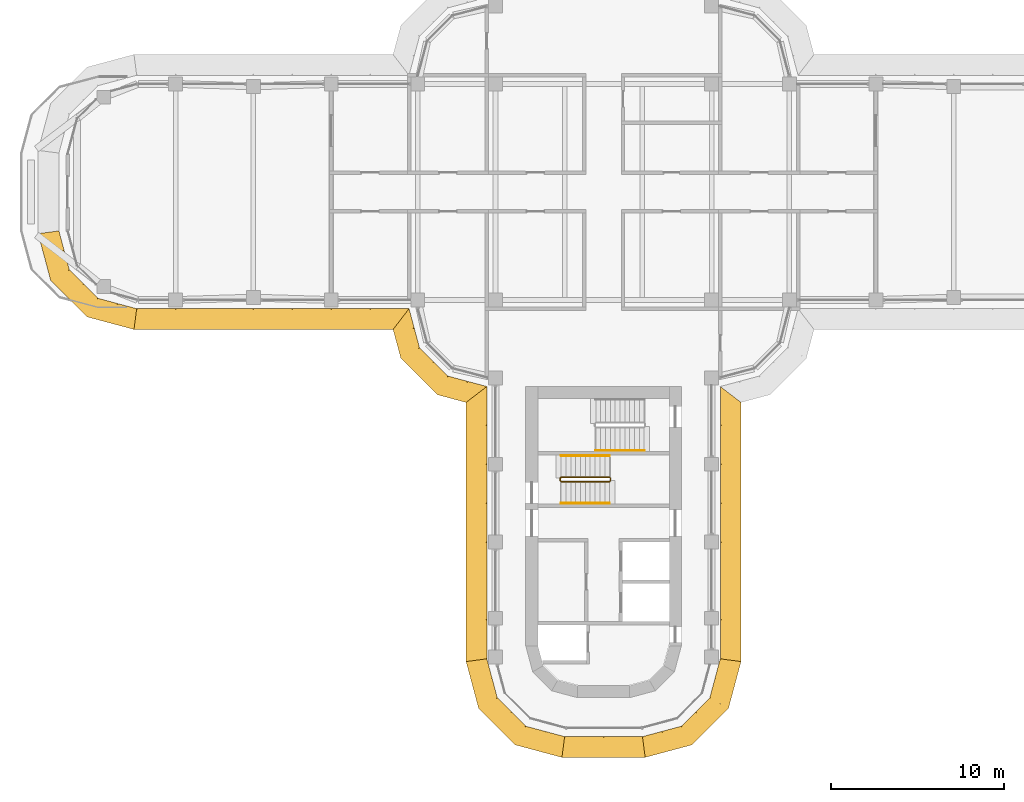
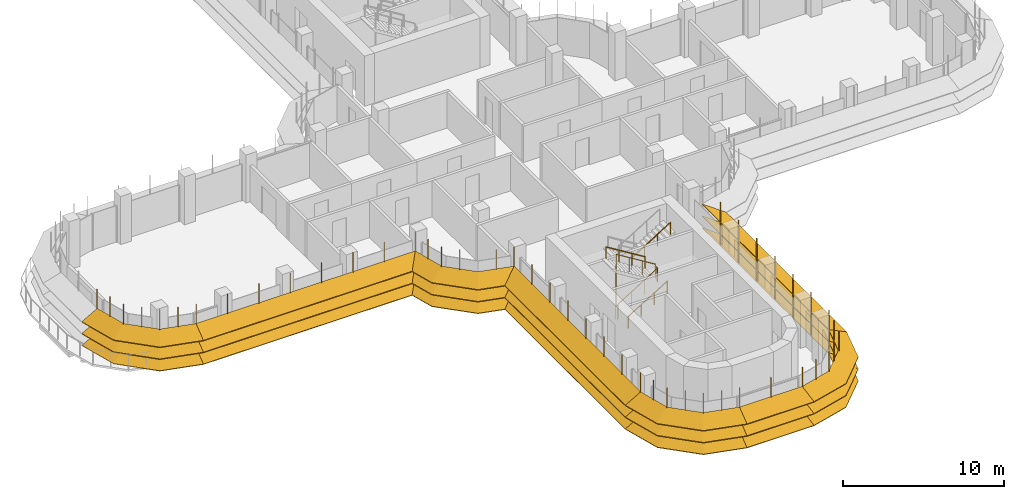
# One storey, part 17 of 20: 8 shading devices, 4 railings.
"""IFC4 building model written with IfcOpenShell, lengths in metres."""

from ifc_helpers import new_model, si_unit, direction, frame, origin, origin_2d, place, context, subcontext, project, spatial, polyline, circle, outline, extrude, faceted_brep, source, transform, mapped, material, type_object, element, save


model = new_model("IFC4")

# Units and contexts
model_context = context("Model", 3, precision=1e-05, world=origin(), true_north=direction((0.0, 1.0)))
body_context = subcontext(model_context, "Body", "Model", "MODEL_VIEW")
ifc_project = project(units=[si_unit("LENGTHUNIT", "METRE"), si_unit("AREAUNIT", "SQUARE_METRE"), si_unit("VOLUMEUNIT", "CUBIC_METRE"), si_unit("PLANEANGLEUNIT", "RADIAN"), si_unit("MASSUNIT", "GRAM", prefix="KILO")], contexts=[model_context])

# Site, building, storey
site_placement = place(None, origin())
site = spatial("IfcSite", under=ifc_project, at=site_placement, CompositionType="ELEMENT")
building_placement = place(site_placement, origin())
building = spatial("IfcBuilding", under=site, at=building_placement, Name="Zarbagh Exchange Tower", CompositionType="ELEMENT")
storey_placement = place(building_placement, frame((0.0, 0.0, 186.60009765625)))
storey = spatial("IfcBuildingStorey", under=building, at=storey_placement, Name="L45", CompositionType="ELEMENT", Elevation=186.60009765625)

# Railings
ifc_material_1 = material(Name="Stainless steel", Category="steel")
railing_type_1 = type_object("IfcRailingType", Name="Stair guard 1100 mm", PredefinedType="GUARDRAIL", material=ifc_material_1)
railing_1_placement = place(storey_placement, frame((0.35009765625, -16.5, 2.072509765625)))
element("IfcRailing", 1, at=railing_1_placement, inside=storey, type_object=railing_type_1, Name="ST3 stair guard 1", PredefinedType="GUARDRAIL", context=body_context, shape_type="SweptSolid", body=[
    extrude(circle(Radius=0.02392578125, at=origin_2d()), frame((0.0, 0.0, 1.076171875), z_axis=(-0.851089632645, 0.0, 0.525020415988), x_axis=(0.0, -1.0, 0.0)), (0.0, 0.0, 1.0), 3.2900390625),
    extrude(circle(Radius=0.02392578125, at=origin_2d()), frame((-2.800048828125, 0.0, 2.80322265625), z_axis=(-0.013169136761, -0.013169136761, -0.999826558796), x_axis=(0.707106781187, -0.707106781187, 0.0)), (0.0, 0.0, 1.0), 3.800537109375),
    extrude(circle(Radius=0.02392578125, at=origin_2d()), frame((-2.85009765625, -0.050048828125, -0.99658203125), z_axis=(0.0, -1.0, 0.0), x_axis=(1.0, 0.0, 0.0)), (0.0, 0.0, 1.0), 0.14990234375),
    extrude(circle(Radius=0.02392578125, at=origin_2d()), frame((-2.85009765625, -0.199951171875, -0.99658203125), z_axis=(0.268277960024, -0.268277960024, 0.925231793839), x_axis=(0.707106781187, 0.707106781187, 0.0)), (0.0, 0.0, 1.0), 0.1865234375),
    extrude(circle(Radius=0.02392578125, at=origin_2d()), frame((-2.800048828125, -0.25, -0.82373046875), z_axis=(0.851089632645, 0.0, 0.525020415988), x_axis=(0.0, 1.0, 0.0)), (0.0, 0.0, 1.0), 3.2900390625),
    extrude(circle(Radius=0.02392578125, at=origin_2d()), frame((0.0, -0.25, 0.9033203125), z_axis=(0.705375805398, 0.708833529934, 0.0), x_axis=(-0.708833529934, 0.705375805398, 0.0)), (0.0, 0.0, 1.0), 0.070556640625),
    extrude(circle(Radius=0.02392578125, at=origin_2d()), frame((0.0498046875, -0.199951171875, 0.9033203125), z_axis=(0.0, 1.0, 0.0), x_axis=(-1.0, 0.0, 0.0)), (0.0, 0.0, 1.0), 0.14990234375),
    extrude(circle(Radius=0.02099609375, at=origin_2d()), origin(), (0.0, 0.0, 1.0), 1.052001953125),
    extrude(circle(Radius=0.02099609375, at=origin_2d()), frame((-0.933349609375, 0.0, 0.57568359375)), (0.0, 0.0, 1.0), 1.052001953125),
    extrude(circle(Radius=0.02099609375, at=origin_2d()), frame((-1.86669921875, 0.0, 1.151611328125)), (0.0, 0.0, 1.0), 1.052001953125),
    extrude(circle(Radius=0.02099609375, at=origin_2d()), frame((-2.800048828125, 0.0, 1.727294921875)), (0.0, 0.0, 1.0), 1.052001953125),
    extrude(circle(Radius=0.02099609375, at=origin_2d()), frame((-2.8125, -0.012451171875, 0.77734375)), (0.0, 0.0, 1.0), 1.052001953125),
    extrude(circle(Radius=0.02099609375, at=origin_2d()), frame((-2.8251953125, -0.02490234375, -0.172607421875)), (0.0, 0.0, 1.0), 1.052001953125),
    extrude(circle(Radius=0.02099609375, at=origin_2d()), frame((-2.837646484375, -0.03759765625, -1.12255859375)), (0.0, 0.0, 1.0), 1.052001953125),
    extrude(circle(Radius=0.02099609375, at=origin_2d()), frame((-2.85009765625, -0.050048828125, -2.072509765625)), (0.0, 0.0, 1.0), 1.052001953125),
    extrude(circle(Radius=0.02099609375, at=origin_2d()), frame((-2.85009765625, -0.199951171875, -2.072509765625)), (0.0, 0.0, 1.0), 1.052001953125),
    extrude(circle(Radius=0.02099609375, at=origin_2d()), frame((-2.800048828125, -0.25, -1.89990234375)), (0.0, 0.0, 1.0), 1.052001953125),
    extrude(circle(Radius=0.02099609375, at=origin_2d()), frame((-1.86669921875, -0.25, -1.32421875)), (0.0, 0.0, 1.0), 1.052001953125),
    extrude(circle(Radius=0.02099609375, at=origin_2d()), frame((-0.933349609375, -0.25, -0.748291015625)), (0.0, 0.0, 1.0), 1.052001953125),
    extrude(circle(Radius=0.02099609375, at=origin_2d()), frame((0.0, -0.25, -0.172607421875)), (0.0, 0.0, 1.0), 1.052001953125),
    extrude(circle(Radius=0.02099609375, at=origin_2d()), frame((0.0498046875, -0.199951171875, -0.172607421875)), (0.0, 0.0, 1.0), 1.052001953125),
    extrude(circle(Radius=0.02099609375, at=origin_2d()), frame((0.0498046875, -0.050048828125, -0.172607421875)), (0.0, 0.0, 1.0), 1.052001953125),
])
railing_type_2 = type_object("IfcRailingType", Name="Stair handrail 900 mm", PredefinedType="HANDRAIL", material=ifc_material_1)
railing_2_placement = place(storey_placement, frame((-2.449951171875, -18.0, 0.172607421875)))
element("IfcRailing", 2, at=railing_2_placement, inside=storey, type_object=railing_type_2, Name="ST3 stair handrail 1", PredefinedType="HANDRAIL", context=body_context, shape_type="SweptSolid", body=[
    extrude(circle(Radius=0.02392578125, at=origin_2d()), frame((0.0, 0.0, 0.8759765625), z_axis=(0.851089632645, 0.0, 0.525020415988), x_axis=(0.0, 1.0, 0.0)), (0.0, 0.0, 1.0), 3.2900390625),
    extrude(circle(Radius=0.02099609375, at=origin_2d()), origin(), (0.0, 0.0, 1.0), 0.851806640625),
    extrude(circle(Radius=0.02099609375, at=origin_2d()), frame((0.933349609375, 0.0, 0.57568359375)), (0.0, 0.0, 1.0), 0.851806640625),
    extrude(circle(Radius=0.02099609375, at=origin_2d()), frame((1.86669921875, 0.0, 1.151611328125)), (0.0, 0.0, 1.0), 0.851806640625),
    extrude(circle(Radius=0.02099609375, at=origin_2d()), frame((2.800048828125, 0.0, 1.727294921875)), (0.0, 0.0, 1.0), 0.851806640625),
])
railing_3_placement = place(storey_placement, frame((0.35009765625, -15.25, 2.072509765625)))
element("IfcRailing", 3, at=railing_3_placement, inside=storey, type_object=railing_type_2, Name="ST3 stair handrail 2", PredefinedType="HANDRAIL", context=body_context, shape_type="SweptSolid", body=[
    extrude(circle(Radius=0.02392578125, at=origin_2d()), frame((0.0, 0.0, 0.8759765625), z_axis=(-0.851089632645, 0.0, 0.525020415988), x_axis=(0.0, -1.0, 0.0)), (0.0, 0.0, 1.0), 3.2900390625),
    extrude(circle(Radius=0.02099609375, at=origin_2d()), origin(), (0.0, 0.0, 1.0), 0.851806640625),
    extrude(circle(Radius=0.02099609375, at=origin_2d()), frame((-0.933349609375, 0.0, 0.57568359375)), (0.0, 0.0, 1.0), 0.851806640625),
    extrude(circle(Radius=0.02099609375, at=origin_2d()), frame((-1.86669921875, 0.0, 1.151611328125)), (0.0, 0.0, 1.0), 0.851806640625),
    extrude(circle(Radius=0.02099609375, at=origin_2d()), frame((-2.800048828125, 0.0, 1.727294921875)), (0.0, 0.0, 1.0), 0.851806640625),
])
railing_4_placement = place(storey_placement, frame((-0.449951171875, -14.949951171875, 2.072509765625)))
element("IfcRailing", 4, at=railing_4_placement, inside=storey, type_object=railing_type_2, Name="ST4 stair handrail 2", PredefinedType="HANDRAIL", context=body_context, shape_type="SweptSolid", body=[
    extrude(circle(Radius=0.02392578125, at=origin_2d()), frame((0.0, 0.0, 0.8759765625), z_axis=(0.851089632645, 0.0, 0.525020415988), x_axis=(0.0, 1.0, 0.0)), (0.0, 0.0, 1.0), 3.2900390625),
    extrude(circle(Radius=0.02099609375, at=origin_2d()), origin(), (0.0, 0.0, 1.0), 0.851806640625),
    extrude(circle(Radius=0.02099609375, at=origin_2d()), frame((0.933349609375, 0.0, 0.57568359375)), (0.0, 0.0, 1.0), 0.851806640625),
    extrude(circle(Radius=0.02099609375, at=origin_2d()), frame((1.86669921875, 0.0, 1.151611328125)), (0.0, 0.0, 1.0), 0.851806640625),
    extrude(circle(Radius=0.02099609375, at=origin_2d()), frame((2.800048828125, 0.0, 1.727294921875)), (0.0, 0.0, 1.0), 0.851806640625),
])

# Shading devices
ifc_material_2 = material(Name="Anodised aluminium blades and brackets", Category="aluminium")
shading_device_type = type_object("IfcShadingDeviceType", Name="SUNSHADE louvre band, 22.5 degree blades", PredefinedType="JALOUSIE", material=ifc_material_2)
shared_shape_1 = source(origin(), body_context, "Body", "Brep", [
    faceted_brep([(0.0, 0.0, 0.0), (0.0, 0.0, -0.043212890625), (-0.157958984375, -1.199951171875, -0.540283203125), (-0.157958984375, -1.199951171875, -0.4970703125), (2.65087890625, -1.199951171875, -0.4970703125), (2.65087890625, -1.199951171875, -0.540283203125), (2.329345703125, 0.0, -0.043212890625), (2.329345703125, 0.0, 0.0)], [[[0, 1, 2, 3]], [[4, 5, 6, 7]], [[0, 7, 6, 1]], [[1, 6, 5, 2]], [[2, 5, 4, 3]], [[3, 4, 7, 0]]]),
])
shared_shape_2 = source(origin(), body_context, "Body", "Brep", [
    faceted_brep([(0.0, 0.0, 0.0), (0.0, 0.0, -0.043212890625), (-0.321533203125, -1.199951171875, -0.540283203125), (-0.321533203125, -1.199951171875, -0.4970703125), (2.65087890625, -1.199951171875, -0.4970703125), (2.65087890625, -1.199951171875, -0.540283203125), (2.329345703125, 0.0, -0.043212890625), (2.329345703125, 0.0, 0.0)], [[[0, 1, 2, 3]], [[4, 5, 6, 7]], [[0, 7, 6, 1]], [[1, 6, 5, 2]], [[2, 5, 4, 3]], [[3, 4, 7, 0]]]),
])
shared_shape_3 = source(origin(), body_context, "Body", "Brep", [
    faceted_brep([(0.0, 0.0, 0.0), (0.0, 0.0, -0.043212890625), (-0.321533203125, -1.199951171875, -0.540283203125), (-0.321533203125, -1.199951171875, -0.4970703125), (2.4873046875, -1.199951171875, -0.4970703125), (2.4873046875, -1.199951171875, -0.540283203125), (2.329345703125, 0.0, -0.043212890625), (2.329345703125, 0.0, 0.0)], [[[0, 1, 2, 3]], [[4, 5, 6, 7]], [[0, 7, 6, 1]], [[1, 6, 5, 2]], [[2, 5, 4, 3]], [[3, 4, 7, 0]]]),
])
shared_shape_4 = source(origin(), body_context, "Body", "SweptSolid", [
    extrude(outline(polyline([(0.0, -0.012451171875), (0.06005859375, -0.012451171875), (0.06005859375, 0.012451171875), (0.0, 0.012451171875), (0.0, -0.012451171875)])), origin(), (0.0, 0.0, 1.0), 3.353271484375),
])
placement = place(storey_placement, origin())
element("IfcShadingDevice", 5, at=placement, inside=storey, type_object=shading_device_type, Name="SS35 sunshade band", PredefinedType="JALOUSIE", context=body_context, shape_type="MappedRepresentation", body=[
    mapped(shared_shape_1, transform((2.25, -31.5, 2.2998046875), x_axis=(0.965924289636, 0.258824779902, 0.0), y_axis=(-0.258824779902, 0.965924289636, 0.0), z_axis=(0.0, 0.0, 1.0))),
    mapped(shared_shape_1, transform((2.25, -31.5, 1.39990234375), x_axis=(0.965924289636, 0.258824779902, 0.0), y_axis=(-0.258824779902, 0.965924289636, 0.0), z_axis=(0.0, 0.0, 1.0))),
    mapped(shared_shape_1, transform((2.25, -31.5, 0.5), x_axis=(0.965924289636, 0.258824779902, 0.0), y_axis=(-0.258824779902, 0.965924289636, 0.0), z_axis=(0.0, 0.0, 1.0))),
    mapped(shared_shape_2, transform((4.5, -30.897216796875, 2.2998046875), x_axis=(0.707106781187, 0.707106781187, 0.0), y_axis=(-0.707106781187, 0.707106781187, 0.0), z_axis=(0.0, 0.0, 1.0))),
    mapped(shared_shape_2, transform((4.5, -30.897216796875, 1.39990234375), x_axis=(0.707106781187, 0.707106781187, 0.0), y_axis=(-0.707106781187, 0.707106781187, 0.0), z_axis=(0.0, 0.0, 1.0))),
    mapped(shared_shape_2, transform((4.5, -30.897216796875, 0.5), x_axis=(0.707106781187, 0.707106781187, 0.0), y_axis=(-0.707106781187, 0.707106781187, 0.0), z_axis=(0.0, 0.0, 1.0))),
    mapped(shared_shape_3, transform((6.147216796875, -29.25, 2.2998046875), x_axis=(0.258824779902, 0.965924289636, 0.0), y_axis=(-0.965924289636, 0.258824779902, 0.0), z_axis=(0.0, 0.0, 1.0))),
    mapped(shared_shape_3, transform((6.147216796875, -29.25, 1.39990234375), x_axis=(0.258824779902, 0.965924289636, 0.0), y_axis=(-0.965924289636, 0.258824779902, 0.0), z_axis=(0.0, 0.0, 1.0))),
    mapped(shared_shape_3, transform((6.147216796875, -29.25, 0.5), x_axis=(0.258824779902, 0.965924289636, 0.0), y_axis=(-0.965924289636, 0.258824779902, 0.0), z_axis=(0.0, 0.0, 1.0))),
    mapped(shared_shape_4, transform((2.25, -31.5, 0.426513671875), x_axis=(0.130529263012, -0.991444457092, 0.0), y_axis=(0.991444457092, 0.130529263012, 0.0), z_axis=(0.0, 0.0, 1.0))),
    mapped(shared_shape_4, transform((3.375, -31.198486328125, 0.426513671875), x_axis=(0.258825058029, -0.96592421511, 0.0), y_axis=(0.96592421511, 0.258825058029, 0.0), z_axis=(0.0, 0.0, 1.0))),
    mapped(shared_shape_4, transform((4.5, -30.897216796875, 0.426513671875), x_axis=(0.50000275701, -0.866023812018, 0.0), y_axis=(0.866023812018, 0.50000275701, 0.0), z_axis=(0.0, 0.0, 1.0))),
    mapped(shared_shape_4, transform((5.323486328125, -30.073486328125, 0.426513671875), x_axis=(0.707106781187, -0.707106781187, 0.0), y_axis=(0.707106781187, 0.707106781187, 0.0), z_axis=(0.0, 0.0, 1.0))),
    mapped(shared_shape_4, transform((6.147216796875, -29.25, 0.426513671875), x_axis=(0.866023812018, -0.50000275701, 0.0), y_axis=(0.50000275701, 0.866023812018, 0.0), z_axis=(0.0, 0.0, 1.0))),
    mapped(shared_shape_4, transform((6.448486328125, -28.125, 0.426513671875), x_axis=(0.96592421511, -0.258825058029, 0.0), y_axis=(0.258825058029, 0.96592421511, 0.0), z_axis=(0.0, 0.0, 1.0))),
])
element("IfcShadingDevice", 6, at=placement, inside=storey, type_object=shading_device_type, Name="SS43 sunshade band", PredefinedType="JALOUSIE", context=body_context, shape_type="MappedRepresentation", body=[
    mapped(shared_shape_1, transform((-31.5, -2.25, 2.2998046875), x_axis=(0.258824779902, -0.965924289636, 0.0), y_axis=(0.965924289636, 0.258824779902, 0.0), z_axis=(0.0, 0.0, 1.0))),
    mapped(shared_shape_1, transform((-31.5, -2.25, 1.39990234375), x_axis=(0.258824779902, -0.965924289636, 0.0), y_axis=(0.965924289636, 0.258824779902, 0.0), z_axis=(0.0, 0.0, 1.0))),
    mapped(shared_shape_1, transform((-31.5, -2.25, 0.5), x_axis=(0.258824779902, -0.965924289636, 0.0), y_axis=(0.965924289636, 0.258824779902, 0.0), z_axis=(0.0, 0.0, 1.0))),
    mapped(shared_shape_2, transform((-30.897216796875, -4.5, 2.2998046875), x_axis=(0.707106781187, -0.707106781187, 0.0), y_axis=(0.707106781187, 0.707106781187, 0.0), z_axis=(0.0, 0.0, 1.0))),
    mapped(shared_shape_2, transform((-30.897216796875, -4.5, 1.39990234375), x_axis=(0.707106781187, -0.707106781187, 0.0), y_axis=(0.707106781187, 0.707106781187, 0.0), z_axis=(0.0, 0.0, 1.0))),
    mapped(shared_shape_2, transform((-30.897216796875, -4.5, 0.5), x_axis=(0.707106781187, -0.707106781187, 0.0), y_axis=(0.707106781187, 0.707106781187, 0.0), z_axis=(0.0, 0.0, 1.0))),
    mapped(shared_shape_3, transform((-29.25, -6.147216796875, 2.2998046875), x_axis=(0.965924289636, -0.258824779902, 0.0), y_axis=(0.258824779902, 0.965924289636, 0.0), z_axis=(0.0, 0.0, 1.0))),
    mapped(shared_shape_3, transform((-29.25, -6.147216796875, 1.39990234375), x_axis=(0.965924289636, -0.258824779902, 0.0), y_axis=(0.258824779902, 0.965924289636, 0.0), z_axis=(0.0, 0.0, 1.0))),
    mapped(shared_shape_3, transform((-29.25, -6.147216796875, 0.5), x_axis=(0.965924289636, -0.258824779902, 0.0), y_axis=(0.258824779902, 0.965924289636, 0.0), z_axis=(0.0, 0.0, 1.0))),
    mapped(shared_shape_4, transform((-31.5, -2.25, 0.426513671875), x_axis=(-0.991444457092, -0.130529263012, 0.0), y_axis=(0.130529263012, -0.991444457092, 0.0), z_axis=(0.0, 0.0, 1.0))),
    mapped(shared_shape_4, transform((-31.198486328125, -3.375, 0.426513671875), x_axis=(-0.96592421511, -0.258825058029, 0.0), y_axis=(0.258825058029, -0.96592421511, 0.0), z_axis=(0.0, 0.0, 1.0))),
    mapped(shared_shape_4, transform((-30.897216796875, -4.5, 0.426513671875), x_axis=(-0.866023812018, -0.50000275701, 0.0), y_axis=(0.50000275701, -0.866023812018, 0.0), z_axis=(0.0, 0.0, 1.0))),
    mapped(shared_shape_4, transform((-30.073486328125, -5.323486328125, 0.426513671875), x_axis=(-0.707106781187, -0.707106781187, 0.0), y_axis=(0.707106781187, -0.707106781187, 0.0), z_axis=(0.0, 0.0, 1.0))),
    mapped(shared_shape_4, transform((-29.25, -6.147216796875, 0.426513671875), x_axis=(-0.50000275701, -0.866023812018, 0.0), y_axis=(0.866023812018, -0.50000275701, 0.0), z_axis=(0.0, 0.0, 1.0))),
    mapped(shared_shape_4, transform((-28.125, -6.448486328125, 0.426513671875), x_axis=(-0.258825058029, -0.96592421511, 0.0), y_axis=(0.96592421511, -0.258825058029, 0.0), z_axis=(0.0, 0.0, 1.0))),
])
element("IfcShadingDevice", 7, at=placement, inside=storey, type_object=shading_device_type, Name="SS38 sunshade band", PredefinedType="JALOUSIE", context=body_context, shape_type="MappedRepresentation", body=[
    mapped(shared_shape_1, transform((-6.75, -27.0, 2.2998046875), x_axis=(0.258824779902, -0.965924289636, 0.0), y_axis=(0.965924289636, 0.258824779902, 0.0), z_axis=(0.0, 0.0, 1.0))),
    mapped(shared_shape_1, transform((-6.75, -27.0, 1.39990234375), x_axis=(0.258824779902, -0.965924289636, 0.0), y_axis=(0.965924289636, 0.258824779902, 0.0), z_axis=(0.0, 0.0, 1.0))),
    mapped(shared_shape_1, transform((-6.75, -27.0, 0.5), x_axis=(0.258824779902, -0.965924289636, 0.0), y_axis=(0.965924289636, 0.258824779902, 0.0), z_axis=(0.0, 0.0, 1.0))),
    mapped(shared_shape_2, transform((-6.147216796875, -29.25, 2.2998046875), x_axis=(0.707106781187, -0.707106781187, 0.0), y_axis=(0.707106781187, 0.707106781187, 0.0), z_axis=(0.0, 0.0, 1.0))),
    mapped(shared_shape_2, transform((-6.147216796875, -29.25, 1.39990234375), x_axis=(0.707106781187, -0.707106781187, 0.0), y_axis=(0.707106781187, 0.707106781187, 0.0), z_axis=(0.0, 0.0, 1.0))),
    mapped(shared_shape_2, transform((-6.147216796875, -29.25, 0.5), x_axis=(0.707106781187, -0.707106781187, 0.0), y_axis=(0.707106781187, 0.707106781187, 0.0), z_axis=(0.0, 0.0, 1.0))),
    mapped(shared_shape_3, transform((-4.5, -30.897216796875, 2.2998046875), x_axis=(0.965924289636, -0.258824779902, 0.0), y_axis=(0.258824779902, 0.965924289636, 0.0), z_axis=(0.0, 0.0, 1.0))),
    mapped(shared_shape_3, transform((-4.5, -30.897216796875, 1.39990234375), x_axis=(0.965924289636, -0.258824779902, 0.0), y_axis=(0.258824779902, 0.965924289636, 0.0), z_axis=(0.0, 0.0, 1.0))),
    mapped(shared_shape_3, transform((-4.5, -30.897216796875, 0.5), x_axis=(0.965924289636, -0.258824779902, 0.0), y_axis=(0.258824779902, 0.965924289636, 0.0), z_axis=(0.0, 0.0, 1.0))),
    mapped(shared_shape_4, transform((-6.75, -27.0, 0.426513671875), x_axis=(-0.991444457092, -0.130529263012, 0.0), y_axis=(0.130529263012, -0.991444457092, 0.0), z_axis=(0.0, 0.0, 1.0))),
    mapped(shared_shape_4, transform((-6.448486328125, -28.125, 0.426513671875), x_axis=(-0.96592421511, -0.258825058029, 0.0), y_axis=(0.258825058029, -0.96592421511, 0.0), z_axis=(0.0, 0.0, 1.0))),
    mapped(shared_shape_4, transform((-6.147216796875, -29.25, 0.426513671875), x_axis=(-0.866023812018, -0.50000275701, 0.0), y_axis=(0.50000275701, -0.866023812018, 0.0), z_axis=(0.0, 0.0, 1.0))),
    mapped(shared_shape_4, transform((-5.323486328125, -30.073486328125, 0.426513671875), x_axis=(-0.707106781187, -0.707106781187, 0.0), y_axis=(0.707106781187, -0.707106781187, 0.0), z_axis=(0.0, 0.0, 1.0))),
    mapped(shared_shape_4, transform((-4.5, -30.897216796875, 0.426513671875), x_axis=(-0.50000275701, -0.866023812018, 0.0), y_axis=(0.866023812018, -0.50000275701, 0.0), z_axis=(0.0, 0.0, 1.0))),
    mapped(shared_shape_4, transform((-3.375, -31.198486328125, 0.426513671875), x_axis=(-0.258825058029, -0.96592421511, 0.0), y_axis=(0.96592421511, -0.258825058029, 0.0), z_axis=(0.0, 0.0, 1.0))),
])
shared_shape_5 = source(origin(), body_context, "Body", "Brep", [
    faceted_brep([(0.0, 0.0, 0.0), (0.0, 0.0, -0.043212890625), (0.9208984375, -1.199951171875, -0.540283203125), (0.9208984375, -1.199951171875, -0.4970703125), (2.65087890625, -1.199951171875, -0.4970703125), (2.65087890625, -1.199951171875, -0.540283203125), (2.329345703125, 0.0, -0.043212890625), (2.329345703125, 0.0, 0.0)], [[[0, 1, 2, 3]], [[4, 5, 6, 7]], [[0, 7, 6, 1]], [[1, 6, 5, 2]], [[2, 5, 4, 3]], [[3, 4, 7, 0]]]),
])
shared_shape_6 = source(origin(), body_context, "Body", "Brep", [
    faceted_brep([(0.0, 0.0, 0.0), (0.0, 0.0, -0.043212890625), (-0.321533203125, -1.199951171875, -0.540283203125), (-0.321533203125, -1.199951171875, -0.4970703125), (1.40869140625, -1.199951171875, -0.4970703125), (1.40869140625, -1.199951171875, -0.540283203125), (2.329345703125, 0.0, -0.043212890625), (2.329345703125, 0.0, 0.0)], [[[0, 1, 2, 3]], [[4, 5, 6, 7]], [[0, 7, 6, 1]], [[1, 6, 5, 2]], [[2, 5, 4, 3]], [[3, 4, 7, 0]]]),
])
element("IfcShadingDevice", 8, at=placement, inside=storey, type_object=shading_device_type, Name="SS21 sunshade band", PredefinedType="JALOUSIE", context=body_context, shape_type="MappedRepresentation", body=[
    mapped(shared_shape_5, transform((-11.25, -6.75, 2.2998046875), x_axis=(0.258824779902, -0.965924289636, 0.0), y_axis=(0.965924289636, 0.258824779902, 0.0), z_axis=(0.0, 0.0, 1.0))),
    mapped(shared_shape_5, transform((-11.25, -6.75, 1.39990234375), x_axis=(0.258824779902, -0.965924289636, 0.0), y_axis=(0.965924289636, 0.258824779902, 0.0), z_axis=(0.0, 0.0, 1.0))),
    mapped(shared_shape_5, transform((-11.25, -6.75, 0.5), x_axis=(0.258824779902, -0.965924289636, 0.0), y_axis=(0.965924289636, 0.258824779902, 0.0), z_axis=(0.0, 0.0, 1.0))),
    mapped(shared_shape_2, transform((-10.647216796875, -9.0, 2.2998046875), x_axis=(0.707106781187, -0.707106781187, 0.0), y_axis=(0.707106781187, 0.707106781187, 0.0), z_axis=(0.0, 0.0, 1.0))),
    mapped(shared_shape_2, transform((-10.647216796875, -9.0, 1.39990234375), x_axis=(0.707106781187, -0.707106781187, 0.0), y_axis=(0.707106781187, 0.707106781187, 0.0), z_axis=(0.0, 0.0, 1.0))),
    mapped(shared_shape_2, transform((-10.647216796875, -9.0, 0.5), x_axis=(0.707106781187, -0.707106781187, 0.0), y_axis=(0.707106781187, 0.707106781187, 0.0), z_axis=(0.0, 0.0, 1.0))),
    mapped(shared_shape_6, transform((-9.0, -10.647216796875, 2.2998046875), x_axis=(0.965924289636, -0.258824779902, 0.0), y_axis=(0.258824779902, 0.965924289636, 0.0), z_axis=(0.0, 0.0, 1.0))),
    mapped(shared_shape_6, transform((-9.0, -10.647216796875, 1.39990234375), x_axis=(0.965924289636, -0.258824779902, 0.0), y_axis=(0.258824779902, 0.965924289636, 0.0), z_axis=(0.0, 0.0, 1.0))),
    mapped(shared_shape_6, transform((-9.0, -10.647216796875, 0.5), x_axis=(0.965924289636, -0.258824779902, 0.0), y_axis=(0.258824779902, 0.965924289636, 0.0), z_axis=(0.0, 0.0, 1.0))),
    mapped(shared_shape_4, transform((-11.25, -6.75, 0.426513671875), x_axis=(-0.608758892, -0.793355287, 0.0), y_axis=(0.793355287, -0.608758892, 0.0), z_axis=(0.0, 0.0, 1.0))),
    mapped(shared_shape_4, transform((-10.948486328125, -7.875, 0.426513671875), x_axis=(-0.96592421511, -0.258825058029, 0.0), y_axis=(0.258825058029, -0.96592421511, 0.0), z_axis=(0.0, 0.0, 1.0))),
    mapped(shared_shape_4, transform((-10.647216796875, -9.0, 0.426513671875), x_axis=(-0.866023812018, -0.50000275701, 0.0), y_axis=(0.50000275701, -0.866023812018, 0.0), z_axis=(0.0, 0.0, 1.0))),
    mapped(shared_shape_4, transform((-9.823486328125, -9.823486328125, 0.426513671875), x_axis=(-0.707106781187, -0.707106781187, 0.0), y_axis=(0.707106781187, -0.707106781187, 0.0), z_axis=(0.0, 0.0, 1.0))),
    mapped(shared_shape_4, transform((-9.0, -10.647216796875, 0.426513671875), x_axis=(-0.50000275701, -0.866023812018, 0.0), y_axis=(0.866023812018, -0.50000275701, 0.0), z_axis=(0.0, 0.0, 1.0))),
    mapped(shared_shape_4, transform((-7.875, -10.948486328125, 0.426513671875), x_axis=(-0.258825058029, -0.96592421511, 0.0), y_axis=(0.96592421511, -0.258825058029, 0.0), z_axis=(0.0, 0.0, 1.0))),
])
shared_shape_7 = source(origin(), body_context, "Body", "Brep", [
    faceted_brep([(0.0, 0.0, 0.0), (0.0, 0.0, -0.043212890625), (-0.157958984375, -1.199951171875, -0.540283203125), (-0.157958984375, -1.199951171875, -0.4970703125), (14.8291015625, -1.199951171875, -0.4970703125), (14.8291015625, -1.199951171875, -0.540283203125), (15.75, 0.0, -0.043212890625), (15.75, 0.0, 0.0)], [[[0, 1, 2, 3]], [[4, 5, 6, 7]], [[0, 7, 6, 1]], [[1, 6, 5, 2]], [[2, 5, 4, 3]], [[3, 4, 7, 0]]]),
])
element("IfcShadingDevice", 9, at=placement, inside=storey, type_object=shading_device_type, Name="SS36 sunshade band", PredefinedType="JALOUSIE", context=body_context, shape_type="MappedRepresentation", body=[
    mapped(shared_shape_7, transform((6.75, -27.0, 2.2998046875), x_axis=(0.0, 1.0, 0.0), y_axis=(-1.0, 0.0, 0.0), z_axis=(0.0, 0.0, 1.0))),
    mapped(shared_shape_7, transform((6.75, -27.0, 1.39990234375), x_axis=(0.0, 1.0, 0.0), y_axis=(-1.0, 0.0, 0.0), z_axis=(0.0, 0.0, 1.0))),
    mapped(shared_shape_7, transform((6.75, -27.0, 0.5), x_axis=(0.0, 1.0, 0.0), y_axis=(-1.0, 0.0, 0.0), z_axis=(0.0, 0.0, 1.0))),
    mapped(shared_shape_4, transform((6.75, -27.0, 0.426513671875), x_axis=(0.991444457092, -0.130529263012, 0.0), y_axis=(0.130529263012, 0.991444457092, 0.0), z_axis=(0.0, 0.0, 1.0))),
    mapped(shared_shape_4, transform((6.75, -24.75, 0.426513671875), x_axis=(1.0, 0.0, 0.0), y_axis=(0.0, 1.0, 0.0), z_axis=(0.0, 0.0, 1.0))),
    mapped(shared_shape_4, transform((6.75, -22.5, 0.426513671875), x_axis=(1.0, 0.0, 0.0), y_axis=(0.0, 1.0, 0.0), z_axis=(0.0, 0.0, 1.0))),
    mapped(shared_shape_4, transform((6.75, -20.25, 0.426513671875), x_axis=(1.0, 0.0, 0.0), y_axis=(0.0, 1.0, 0.0), z_axis=(0.0, 0.0, 1.0))),
    mapped(shared_shape_4, transform((6.75, -18.0, 0.426513671875), x_axis=(1.0, 0.0, 0.0), y_axis=(0.0, 1.0, 0.0), z_axis=(0.0, 0.0, 1.0))),
    mapped(shared_shape_4, transform((6.75, -15.75, 0.426513671875), x_axis=(1.0, 0.0, 0.0), y_axis=(0.0, 1.0, 0.0), z_axis=(0.0, 0.0, 1.0))),
    mapped(shared_shape_4, transform((6.75, -13.5, 0.426513671875), x_axis=(1.0, 0.0, 0.0), y_axis=(0.0, 1.0, 0.0), z_axis=(0.0, 0.0, 1.0))),
])
element("IfcShadingDevice", 10, at=placement, inside=storey, type_object=shading_device_type, Name="SS44 sunshade band", PredefinedType="JALOUSIE", context=body_context, shape_type="MappedRepresentation", body=[
    mapped(shared_shape_7, transform((-27.0, -6.75, 2.2998046875), x_axis=(1.0, 0.0, 0.0), y_axis=(0.0, 1.0, 0.0), z_axis=(0.0, 0.0, 1.0))),
    mapped(shared_shape_7, transform((-27.0, -6.75, 1.39990234375), x_axis=(1.0, 0.0, 0.0), y_axis=(0.0, 1.0, 0.0), z_axis=(0.0, 0.0, 1.0))),
    mapped(shared_shape_7, transform((-27.0, -6.75, 0.5), x_axis=(1.0, 0.0, 0.0), y_axis=(0.0, 1.0, 0.0), z_axis=(0.0, 0.0, 1.0))),
    mapped(shared_shape_4, transform((-27.0, -6.75, 0.426513671875), x_axis=(-0.130529263012, -0.991444457092, 0.0), y_axis=(0.991444457092, -0.130529263012, 0.0), z_axis=(0.0, 0.0, 1.0))),
    mapped(shared_shape_4, transform((-24.75, -6.75, 0.426513671875), x_axis=(0.0, -1.0, 0.0), y_axis=(1.0, 0.0, 0.0), z_axis=(0.0, 0.0, 1.0))),
    mapped(shared_shape_4, transform((-22.5, -6.75, 0.426513671875), x_axis=(0.0, -1.0, 0.0), y_axis=(1.0, 0.0, 0.0), z_axis=(0.0, 0.0, 1.0))),
    mapped(shared_shape_4, transform((-20.25, -6.75, 0.426513671875), x_axis=(0.0, -1.0, 0.0), y_axis=(1.0, 0.0, 0.0), z_axis=(0.0, 0.0, 1.0))),
    mapped(shared_shape_4, transform((-18.0, -6.75, 0.426513671875), x_axis=(0.0, -1.0, 0.0), y_axis=(1.0, 0.0, 0.0), z_axis=(0.0, 0.0, 1.0))),
    mapped(shared_shape_4, transform((-15.75, -6.75, 0.426513671875), x_axis=(0.0, -1.0, 0.0), y_axis=(1.0, 0.0, 0.0), z_axis=(0.0, 0.0, 1.0))),
    mapped(shared_shape_4, transform((-13.5, -6.75, 0.426513671875), x_axis=(0.0, -1.0, 0.0), y_axis=(1.0, 0.0, 0.0), z_axis=(0.0, 0.0, 1.0))),
])
shared_shape_8 = source(origin(), body_context, "Body", "Brep", [
    faceted_brep([(0.0, 0.0, 0.0), (0.0, 0.0, -0.043212890625), (0.9208984375, -1.199951171875, -0.540283203125), (0.9208984375, -1.199951171875, -0.4970703125), (15.907958984375, -1.199951171875, -0.4970703125), (15.907958984375, -1.199951171875, -0.540283203125), (15.75, 0.0, -0.043212890625), (15.75, 0.0, 0.0)], [[[0, 1, 2, 3]], [[4, 5, 6, 7]], [[0, 7, 6, 1]], [[1, 6, 5, 2]], [[2, 5, 4, 3]], [[3, 4, 7, 0]]]),
])
element("IfcShadingDevice", 11, at=placement, inside=storey, type_object=shading_device_type, Name="SS37 sunshade band", PredefinedType="JALOUSIE", context=body_context, shape_type="MappedRepresentation", body=[
    mapped(shared_shape_8, transform((-6.75, -11.25, 2.2998046875), x_axis=(0.0, -1.0, 0.0), y_axis=(1.0, 0.0, 0.0), z_axis=(0.0, 0.0, 1.0))),
    mapped(shared_shape_8, transform((-6.75, -11.25, 1.39990234375), x_axis=(0.0, -1.0, 0.0), y_axis=(1.0, 0.0, 0.0), z_axis=(0.0, 0.0, 1.0))),
    mapped(shared_shape_8, transform((-6.75, -11.25, 0.5), x_axis=(0.0, -1.0, 0.0), y_axis=(1.0, 0.0, 0.0), z_axis=(0.0, 0.0, 1.0))),
    mapped(shared_shape_4, transform((-6.75, -11.25, 0.426513671875), x_axis=(-0.793355287, -0.608758892, 0.0), y_axis=(0.608758892, -0.793355287, 0.0), z_axis=(0.0, 0.0, 1.0))),
    mapped(shared_shape_4, transform((-6.75, -13.5, 0.426513671875), x_axis=(-1.0, 0.0, 0.0), y_axis=(0.0, -1.0, 0.0), z_axis=(0.0, 0.0, 1.0))),
    mapped(shared_shape_4, transform((-6.75, -15.75, 0.426513671875), x_axis=(-1.0, 0.0, 0.0), y_axis=(0.0, -1.0, 0.0), z_axis=(0.0, 0.0, 1.0))),
    mapped(shared_shape_4, transform((-6.75, -18.0, 0.426513671875), x_axis=(-1.0, 0.0, 0.0), y_axis=(0.0, -1.0, 0.0), z_axis=(0.0, 0.0, 1.0))),
    mapped(shared_shape_4, transform((-6.75, -20.25, 0.426513671875), x_axis=(-1.0, 0.0, 0.0), y_axis=(0.0, -1.0, 0.0), z_axis=(0.0, 0.0, 1.0))),
    mapped(shared_shape_4, transform((-6.75, -22.5, 0.426513671875), x_axis=(-1.0, 0.0, 0.0), y_axis=(0.0, -1.0, 0.0), z_axis=(0.0, 0.0, 1.0))),
    mapped(shared_shape_4, transform((-6.75, -24.75, 0.426513671875), x_axis=(-1.0, 0.0, 0.0), y_axis=(0.0, -1.0, 0.0), z_axis=(0.0, 0.0, 1.0))),
])
shared_shape_9 = source(origin(), body_context, "Body", "Brep", [
    faceted_brep([(0.0, 0.0, 0.0), (0.0, 0.0, -0.043212890625), (-0.157958984375, -1.199951171875, -0.540283203125), (-0.157958984375, -1.199951171875, -0.4970703125), (4.657958984375, -1.199951171875, -0.4970703125), (4.657958984375, -1.199951171875, -0.540283203125), (4.5, 0.0, -0.043212890625), (4.5, 0.0, 0.0)], [[[0, 1, 2, 3]], [[4, 5, 6, 7]], [[0, 7, 6, 1]], [[1, 6, 5, 2]], [[2, 5, 4, 3]], [[3, 4, 7, 0]]]),
])
element("IfcShadingDevice", 12, at=placement, inside=storey, type_object=shading_device_type, Name="SS39 sunshade band", PredefinedType="JALOUSIE", context=body_context, shape_type="MappedRepresentation", body=[
    mapped(shared_shape_9, transform((-2.25, -31.5, 2.2998046875), x_axis=(1.0, 0.0, 0.0), y_axis=(0.0, 1.0, 0.0), z_axis=(0.0, 0.0, 1.0))),
    mapped(shared_shape_9, transform((-2.25, -31.5, 1.39990234375), x_axis=(1.0, 0.0, 0.0), y_axis=(0.0, 1.0, 0.0), z_axis=(0.0, 0.0, 1.0))),
    mapped(shared_shape_9, transform((-2.25, -31.5, 0.5), x_axis=(1.0, 0.0, 0.0), y_axis=(0.0, 1.0, 0.0), z_axis=(0.0, 0.0, 1.0))),
    mapped(shared_shape_4, transform((-2.25, -31.5, 0.426513671875), x_axis=(-0.130529263012, -0.991444457092, 0.0), y_axis=(0.991444457092, -0.130529263012, 0.0), z_axis=(0.0, 0.0, 1.0))),
    mapped(shared_shape_4, transform((0.0, -31.5, 0.426513671875), x_axis=(0.0, -1.0, 0.0), y_axis=(1.0, 0.0, 0.0), z_axis=(0.0, 0.0, 1.0))),
])

save(model, "model.ifc")
